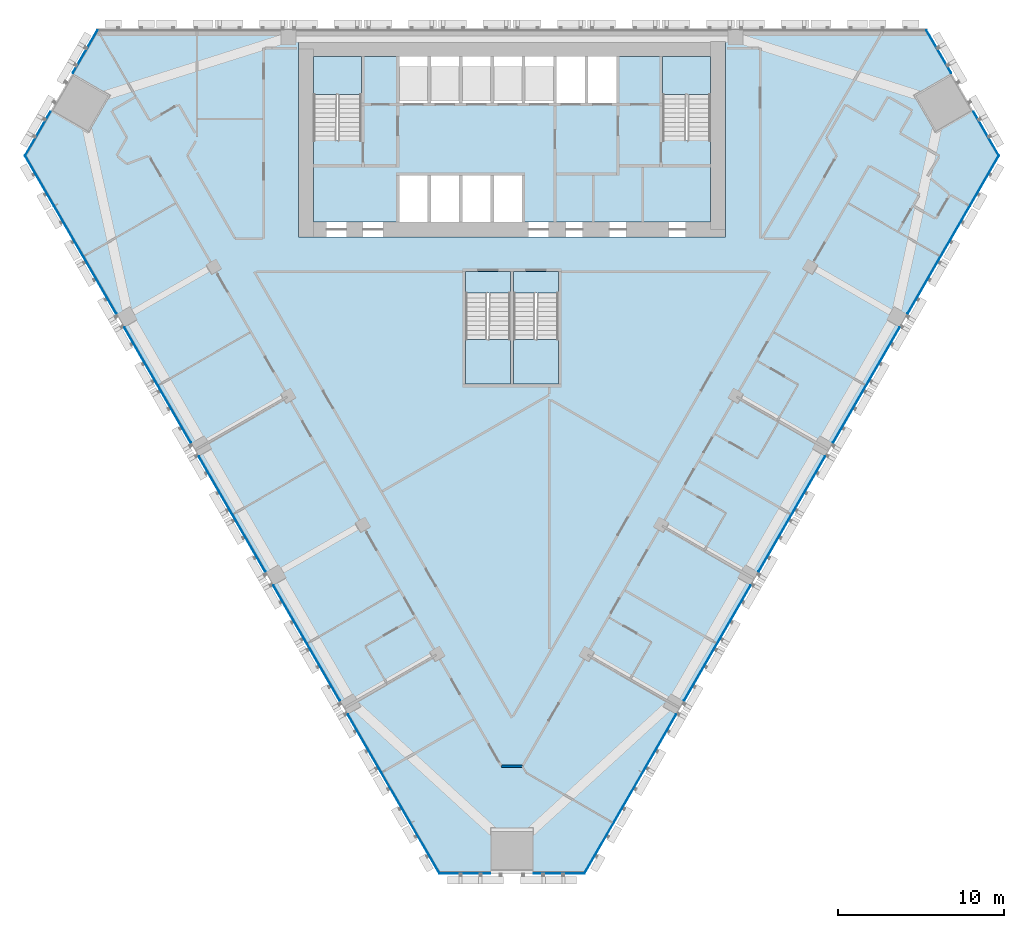
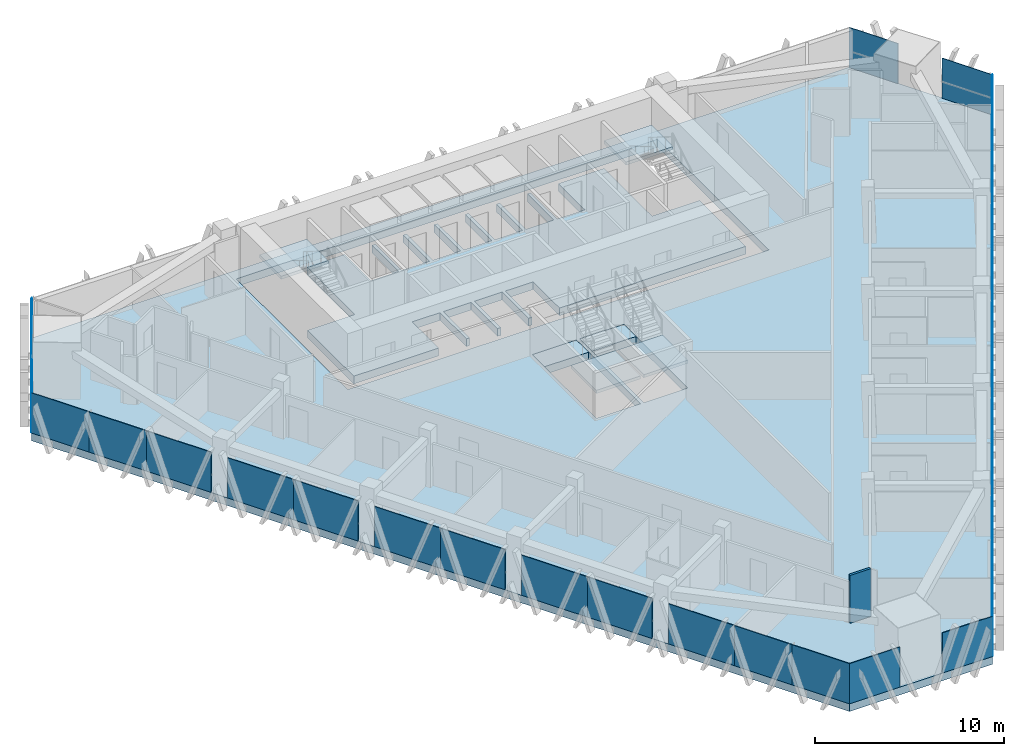
# One storey, part 8 of 16: 30 plates, 8 slabs, 1 wall, 9 elements without a shape of their own.
"""IFC4 building model written with IfcOpenShell, lengths in metres."""

from ifc_helpers import new_model, si_unit, direction, frame, frame_2d, origin, origin_2d, place, context, subcontext, project, spatial, polyline, rectangle, outline, extrude, material, layer, layer_set, type_object, element, aggregate, save


model = new_model("IFC4")

# Units and contexts
model_context = context("Model", 3, precision=1e-05, world=origin(), true_north=direction((0.0, 1.0)))
body_context = subcontext(model_context, "Body", "Model", "MODEL_VIEW")
ifc_project = project(units=[si_unit("LENGTHUNIT", "METRE"), si_unit("AREAUNIT", "SQUARE_METRE"), si_unit("VOLUMEUNIT", "CUBIC_METRE"), si_unit("PLANEANGLEUNIT", "RADIAN"), si_unit("MASSUNIT", "GRAM", prefix="KILO")], contexts=[model_context])

# Site, building, storey
site_placement = place(None, origin())
site = spatial("IfcSite", under=ifc_project, at=site_placement, CompositionType="ELEMENT")
building_placement = place(site_placement, origin())
building = spatial("IfcBuilding", under=site, at=building_placement, Name="Altiplano Prism Tower", CompositionType="ELEMENT")
storey_placement = place(building_placement, frame((0.0, 0.0, 84.60009765625)))
storey = spatial("IfcBuildingStorey", under=building, at=storey_placement, Name="L21", CompositionType="ELEMENT", Elevation=84.60009765625)

# Curtain wall, plates
ifc_material_1 = material(Name="Aluminium and glass", Category="aluminium")
ifc_layer_1 = layer(ifc_material_1, 0.280029296875)
ifc_layer_set_1 = layer_set([ifc_layer_1], Name="Aluminium and glass")
curtain_wall_type = type_object("IfcCurtainWallType", Name="CW1 typical co-living unitised curtain wall", PredefinedType="NOTDEFINED", material=ifc_layer_set_1)
curtain_wall_1_placement = place(storey_placement, origin())
curtain_wall_1 = element("IfcCurtainWall", 1, at=curtain_wall_1_placement, inside=storey, type_object=curtain_wall_type, Name="CW1 curtain wall north-west chamfer L21", PredefinedType="NOTDEFINED")
ifc_material_2 = material(Name="Clear glass", Category="glass")
ifc_layer_2 = layer(ifc_material_2, 0.0400390625)
ifc_layer_set_2 = layer_set([ifc_layer_2], Name="Clear glass")
plate_type = type_object("IfcPlateType", Name="CW1 insulated glass unit 40", PredefinedType="CURTAIN_PANEL", material=ifc_layer_set_2)
plate_1_placement = place(storey_placement, frame((59.221435546875, 103.689208984375, -0.000244140625), z_axis=(0.0, 0.0, 1.0), x_axis=(-0.499999935822, -0.866025440838, 0.0)))
plate_1 = element("IfcPlate", 2, at=plate_1_placement, type_object=plate_type, Name="CW1 panel", PredefinedType="CURTAIN_PANEL", context=body_context, shape_type="SweptSolid", body=[
    extrude(rectangle(XDim=2.994384765625, YDim=0.0400390625, at=origin_2d()), origin(), (0.0, 0.0, 1.0), 2.60009765625),
])
plate_2_placement = place(storey_placement, frame((56.359130859375, 98.731689453125, -0.000244140625), z_axis=(0.0, 0.0, 1.0), x_axis=(-0.499999935822, -0.866025440838, 0.0)))
plate_2 = element("IfcPlate", 3, at=plate_2_placement, type_object=plate_type, Name="CW1 panel", PredefinedType="CURTAIN_PANEL", context=body_context, shape_type="SweptSolid", body=[
    extrude(rectangle(XDim=3.07421875, YDim=0.0400390625, at=origin_2d()), origin(), (0.0, 0.0, 1.0), 2.60009765625),
])
aggregate(curtain_wall_1, [plate_1, plate_2])

curtain_wall_2_placement = place(storey_placement, origin())
curtain_wall_2 = element("IfcCurtainWall", 4, at=curtain_wall_2_placement, inside=storey, type_object=curtain_wall_type, Name="CW1 curtain wall south-west face L21", PredefinedType="NOTDEFINED")
plate_3_placement = place(storey_placement, frame((56.46875, 95.89111328125, -0.000244140625), z_axis=(0.0, 0.0, 1.0), x_axis=(0.500000007875, -0.866025399238, 0.0)))
plate_3 = element("IfcPlate", 5, at=plate_3_placement, type_object=plate_type, Name="CW1 panel", PredefinedType="CURTAIN_PANEL", context=body_context, shape_type="SweptSolid", body=[
    extrude(rectangle(XDim=3.512451171875, YDim=0.0400390625, at=origin_2d()), origin(), (0.0, 0.0, 1.0), 2.60009765625),
])
plate_4_placement = place(storey_placement, frame((58.22998046875, 92.840576171875, -0.000244140625), z_axis=(0.0, 0.0, 1.0), x_axis=(0.500000007875, -0.866025399238, 0.0)))
plate_4 = element("IfcPlate", 6, at=plate_4_placement, type_object=plate_type, Name="CW1 panel", PredefinedType="CURTAIN_PANEL", context=body_context, shape_type="SweptSolid", body=[
    extrude(rectangle(XDim=3.512451171875, YDim=0.0400390625, at=origin_2d()), origin(), (0.0, 0.0, 1.0), 2.60009765625),
])
plate_5_placement = place(storey_placement, frame((60.103271484375, 89.595947265625, -0.000244140625), z_axis=(0.0, 0.0, 1.0), x_axis=(0.500000007875, -0.866025399238, 0.0)))
plate_5 = element("IfcPlate", 7, at=plate_5_placement, type_object=plate_type, Name="CW1 panel", PredefinedType="CURTAIN_PANEL", context=body_context, shape_type="SweptSolid", body=[
    extrude(rectangle(XDim=3.96044921875, YDim=0.0400390625, at=origin_2d()), origin(), (0.0, 0.0, 1.0), 2.60009765625),
])
plate_6_placement = place(storey_placement, frame((62.598388671875, 85.2744140625, -0.000244140625), z_axis=(0.0, 0.0, 1.0), x_axis=(0.500000007875, -0.866025399238, 0.0)))
plate_6 = element("IfcPlate", 8, at=plate_6_placement, type_object=plate_type, Name="CW1 panel", PredefinedType="CURTAIN_PANEL", context=body_context, shape_type="SweptSolid", body=[
    extrude(rectangle(XDim=4.039306640625, YDim=0.0400390625, at=origin_2d()), origin(), (0.0, 0.0, 1.0), 2.60009765625),
])
plate_7_placement = place(storey_placement, frame((64.603271484375, 81.8017578125, -0.000244140625), z_axis=(0.0, 0.0, 1.0), x_axis=(0.500000007875, -0.866025399238, 0.0)))
plate_7 = element("IfcPlate", 9, at=plate_7_placement, type_object=plate_type, Name="CW1 panel", PredefinedType="CURTAIN_PANEL", context=body_context, shape_type="SweptSolid", body=[
    extrude(rectangle(XDim=3.96044921875, YDim=0.0400390625, at=origin_2d()), origin(), (0.0, 0.0, 1.0), 2.60009765625),
])
plate_8_placement = place(storey_placement, frame((67.098388671875, 77.480224609375, -0.000244140625), z_axis=(0.0, 0.0, 1.0), x_axis=(0.500000007875, -0.866025399238, 0.0)))
plate_8 = element("IfcPlate", 10, at=plate_8_placement, type_object=plate_type, Name="CW1 panel", PredefinedType="CURTAIN_PANEL", context=body_context, shape_type="SweptSolid", body=[
    extrude(rectangle(XDim=4.039306640625, YDim=0.0400390625, at=origin_2d()), origin(), (0.0, 0.0, 1.0), 2.60009765625),
])
plate_9_placement = place(storey_placement, frame((69.103271484375, 74.00732421875, -0.000244140625), z_axis=(0.0, 0.0, 1.0), x_axis=(0.500000007875, -0.866025399238, 0.0)))
plate_9 = element("IfcPlate", 11, at=plate_9_placement, type_object=plate_type, Name="CW1 panel", PredefinedType="CURTAIN_PANEL", context=body_context, shape_type="SweptSolid", body=[
    extrude(rectangle(XDim=3.96044921875, YDim=0.0400390625, at=origin_2d()), origin(), (0.0, 0.0, 1.0), 2.60009765625),
])
plate_10_placement = place(storey_placement, frame((71.598388671875, 69.685791015625, -0.000244140625), z_axis=(0.0, 0.0, 1.0), x_axis=(0.500000007875, -0.866025399238, 0.0)))
plate_10 = element("IfcPlate", 12, at=plate_10_placement, type_object=plate_type, Name="CW1 panel", PredefinedType="CURTAIN_PANEL", context=body_context, shape_type="SweptSolid", body=[
    extrude(rectangle(XDim=4.039306640625, YDim=0.0400390625, at=origin_2d()), origin(), (0.0, 0.0, 1.0), 2.60009765625),
])
plate_11_placement = place(storey_placement, frame((73.603271484375, 66.213134765625, -0.000244140625), z_axis=(0.0, 0.0, 1.0), x_axis=(0.500000007875, -0.866025399238, 0.0)))
plate_11 = element("IfcPlate", 13, at=plate_11_placement, type_object=plate_type, Name="CW1 panel", PredefinedType="CURTAIN_PANEL", context=body_context, shape_type="SweptSolid", body=[
    extrude(rectangle(XDim=3.96044921875, YDim=0.0400390625, at=origin_2d()), origin(), (0.0, 0.0, 1.0), 2.60009765625),
])
plate_12_placement = place(storey_placement, frame((76.098388671875, 61.8916015625, -0.000244140625), z_axis=(0.0, 0.0, 1.0), x_axis=(0.500000007875, -0.866025399238, 0.0)))
plate_12 = element("IfcPlate", 14, at=plate_12_placement, type_object=plate_type, Name="CW1 panel", PredefinedType="CURTAIN_PANEL", context=body_context, shape_type="SweptSolid", body=[
    extrude(rectangle(XDim=4.039306640625, YDim=0.0400390625, at=origin_2d()), origin(), (0.0, 0.0, 1.0), 2.60009765625),
])
plate_13_placement = place(storey_placement, frame((77.9912109375, 58.613037109375, -0.000244140625), z_axis=(0.0, 0.0, 1.0), x_axis=(0.500000007875, -0.866025399238, 0.0)))
plate_13 = element("IfcPlate", 15, at=plate_13_placement, type_object=plate_type, Name="CW1 panel", PredefinedType="CURTAIN_PANEL", context=body_context, shape_type="SweptSolid", body=[
    extrude(rectangle(XDim=3.512451171875, YDim=0.0400390625, at=origin_2d()), origin(), (0.0, 0.0, 1.0), 2.60009765625),
])
plate_14_placement = place(storey_placement, frame((79.75244140625, 55.5625, -0.000244140625), z_axis=(0.0, 0.0, 1.0), x_axis=(0.500000007875, -0.866025399238, 0.0)))
plate_14 = element("IfcPlate", 16, at=plate_14_placement, type_object=plate_type, Name="CW1 panel", PredefinedType="CURTAIN_PANEL", context=body_context, shape_type="SweptSolid", body=[
    extrude(rectangle(XDim=3.512451171875, YDim=0.0400390625, at=origin_2d()), origin(), (0.0, 0.0, 1.0), 2.60009765625),
])
aggregate(curtain_wall_2, [plate_3, plate_4, plate_5, plate_6, plate_7, plate_8, plate_9, plate_10, plate_11, plate_12, plate_13, plate_14])

curtain_wall_3_placement = place(storey_placement, origin())
curtain_wall_3 = element("IfcCurtainWall", 17, at=curtain_wall_3_placement, inside=storey, type_object=curtain_wall_type, Name="CW1 curtain wall south chamfer L21", PredefinedType="NOTDEFINED")
plate_15_placement = place(storey_placement, frame((82.157958984375, 54.047119140625, -0.000244140625), z_axis=(0.0, 0.0, 1.0), x_axis=(1.0, 0.0, 0.0)))
plate_15 = element("IfcPlate", 18, at=plate_15_placement, type_object=plate_type, Name="CW1 panel", PredefinedType="CURTAIN_PANEL", context=body_context, shape_type="SweptSolid", body=[
    extrude(rectangle(XDim=3.07421875, YDim=0.0400390625, at=origin_2d()), origin(), (0.0, 0.0, 1.0), 2.60009765625),
])
plate_16_placement = place(storey_placement, frame((87.842041015625, 54.047119140625, -0.000244140625), z_axis=(0.0, 0.0, 1.0), x_axis=(1.0, 0.0, 0.0)))
plate_16 = element("IfcPlate", 19, at=plate_16_placement, type_object=plate_type, Name="CW1 panel", PredefinedType="CURTAIN_PANEL", context=body_context, shape_type="SweptSolid", body=[
    extrude(rectangle(XDim=3.07421875, YDim=0.0400390625, at=origin_2d()), origin(), (0.0, 0.0, 1.0), 2.60009765625),
])
aggregate(curtain_wall_3, [plate_15, plate_16])

curtain_wall_4_placement = place(storey_placement, origin())
curtain_wall_4 = element("IfcCurtainWall", 20, at=curtain_wall_4_placement, inside=storey, type_object=curtain_wall_type, Name="CW1 curtain wall south-east face L21", PredefinedType="NOTDEFINED")
plate_17_placement = place(storey_placement, frame((90.24755859375, 55.5625, -0.000244140625), z_axis=(0.0, 0.0, 1.0), x_axis=(0.500000007875, 0.866025399238, 0.0)))
plate_17 = element("IfcPlate", 21, at=plate_17_placement, type_object=plate_type, Name="CW1 panel", PredefinedType="CURTAIN_PANEL", context=body_context, shape_type="SweptSolid", body=[
    extrude(rectangle(XDim=3.512451171875, YDim=0.0400390625, at=origin_2d()), origin(), (0.0, 0.0, 1.0), 2.60009765625),
])
plate_18_placement = place(storey_placement, frame((92.0087890625, 58.613037109375, -0.000244140625), z_axis=(0.0, 0.0, 1.0), x_axis=(0.500000007875, 0.866025399238, 0.0)))
plate_18 = element("IfcPlate", 22, at=plate_18_placement, type_object=plate_type, Name="CW1 panel", PredefinedType="CURTAIN_PANEL", context=body_context, shape_type="SweptSolid", body=[
    extrude(rectangle(XDim=3.512451171875, YDim=0.0400390625, at=origin_2d()), origin(), (0.0, 0.0, 1.0), 2.60009765625),
])
plate_19_placement = place(storey_placement, frame((93.901611328125, 61.8916015625, -0.000244140625), z_axis=(0.0, 0.0, 1.0), x_axis=(0.500000007875, 0.866025399238, 0.0)))
plate_19 = element("IfcPlate", 23, at=plate_19_placement, type_object=plate_type, Name="CW1 panel", PredefinedType="CURTAIN_PANEL", context=body_context, shape_type="SweptSolid", body=[
    extrude(rectangle(XDim=4.039306640625, YDim=0.0400390625, at=origin_2d()), origin(), (0.0, 0.0, 1.0), 2.60009765625),
])
plate_20_placement = place(storey_placement, frame((96.396728515625, 66.213134765625, -0.000244140625), z_axis=(0.0, 0.0, 1.0), x_axis=(0.500000007875, 0.866025399238, 0.0)))
plate_20 = element("IfcPlate", 24, at=plate_20_placement, type_object=plate_type, Name="CW1 panel", PredefinedType="CURTAIN_PANEL", context=body_context, shape_type="SweptSolid", body=[
    extrude(rectangle(XDim=3.96044921875, YDim=0.0400390625, at=origin_2d()), origin(), (0.0, 0.0, 1.0), 2.60009765625),
])
plate_21_placement = place(storey_placement, frame((98.401611328125, 69.685791015625, -0.000244140625), z_axis=(0.0, 0.0, 1.0), x_axis=(0.500000007875, 0.866025399238, 0.0)))
plate_21 = element("IfcPlate", 25, at=plate_21_placement, type_object=plate_type, Name="CW1 panel", PredefinedType="CURTAIN_PANEL", context=body_context, shape_type="SweptSolid", body=[
    extrude(rectangle(XDim=4.039306640625, YDim=0.0400390625, at=origin_2d()), origin(), (0.0, 0.0, 1.0), 2.60009765625),
])
plate_22_placement = place(storey_placement, frame((100.896728515625, 74.00732421875, -0.000244140625), z_axis=(0.0, 0.0, 1.0), x_axis=(0.500000007875, 0.866025399238, 0.0)))
plate_22 = element("IfcPlate", 26, at=plate_22_placement, type_object=plate_type, Name="CW1 panel", PredefinedType="CURTAIN_PANEL", context=body_context, shape_type="SweptSolid", body=[
    extrude(rectangle(XDim=3.96044921875, YDim=0.0400390625, at=origin_2d()), origin(), (0.0, 0.0, 1.0), 2.60009765625),
])
plate_23_placement = place(storey_placement, frame((102.901611328125, 77.480224609375, -0.000244140625), z_axis=(0.0, 0.0, 1.0), x_axis=(0.500000007875, 0.866025399238, 0.0)))
plate_23 = element("IfcPlate", 27, at=plate_23_placement, type_object=plate_type, Name="CW1 panel", PredefinedType="CURTAIN_PANEL", context=body_context, shape_type="SweptSolid", body=[
    extrude(rectangle(XDim=4.039306640625, YDim=0.0400390625, at=origin_2d()), origin(), (0.0, 0.0, 1.0), 2.60009765625),
])
plate_24_placement = place(storey_placement, frame((105.396728515625, 81.8017578125, -0.000244140625), z_axis=(0.0, 0.0, 1.0), x_axis=(0.500000007875, 0.866025399238, 0.0)))
plate_24 = element("IfcPlate", 28, at=plate_24_placement, type_object=plate_type, Name="CW1 panel", PredefinedType="CURTAIN_PANEL", context=body_context, shape_type="SweptSolid", body=[
    extrude(rectangle(XDim=3.96044921875, YDim=0.0400390625, at=origin_2d()), origin(), (0.0, 0.0, 1.0), 2.60009765625),
])
plate_25_placement = place(storey_placement, frame((107.401611328125, 85.2744140625, -0.000244140625), z_axis=(0.0, 0.0, 1.0), x_axis=(0.500000007875, 0.866025399238, 0.0)))
plate_25 = element("IfcPlate", 29, at=plate_25_placement, type_object=plate_type, Name="CW1 panel", PredefinedType="CURTAIN_PANEL", context=body_context, shape_type="SweptSolid", body=[
    extrude(rectangle(XDim=4.039306640625, YDim=0.0400390625, at=origin_2d()), origin(), (0.0, 0.0, 1.0), 2.60009765625),
])
plate_26_placement = place(storey_placement, frame((109.896728515625, 89.595947265625, -0.000244140625), z_axis=(0.0, 0.0, 1.0), x_axis=(0.500000007875, 0.866025399238, 0.0)))
plate_26 = element("IfcPlate", 30, at=plate_26_placement, type_object=plate_type, Name="CW1 panel", PredefinedType="CURTAIN_PANEL", context=body_context, shape_type="SweptSolid", body=[
    extrude(rectangle(XDim=3.96044921875, YDim=0.0400390625, at=origin_2d()), origin(), (0.0, 0.0, 1.0), 2.60009765625),
])
plate_27_placement = place(storey_placement, frame((111.77001953125, 92.840576171875, -0.000244140625), z_axis=(0.0, 0.0, 1.0), x_axis=(0.500000007875, 0.866025399238, 0.0)))
plate_27 = element("IfcPlate", 31, at=plate_27_placement, type_object=plate_type, Name="CW1 panel", PredefinedType="CURTAIN_PANEL", context=body_context, shape_type="SweptSolid", body=[
    extrude(rectangle(XDim=3.512451171875, YDim=0.0400390625, at=origin_2d()), origin(), (0.0, 0.0, 1.0), 2.60009765625),
])
plate_28_placement = place(storey_placement, frame((113.53125, 95.89111328125, -0.000244140625), z_axis=(0.0, 0.0, 1.0), x_axis=(0.500000007875, 0.866025399238, 0.0)))
plate_28 = element("IfcPlate", 32, at=plate_28_placement, type_object=plate_type, Name="CW1 panel", PredefinedType="CURTAIN_PANEL", context=body_context, shape_type="SweptSolid", body=[
    extrude(rectangle(XDim=3.512451171875, YDim=0.0400390625, at=origin_2d()), origin(), (0.0, 0.0, 1.0), 2.60009765625),
])
aggregate(curtain_wall_4, [plate_17, plate_18, plate_19, plate_20, plate_21, plate_22, plate_23, plate_24, plate_25, plate_26, plate_27, plate_28])

curtain_wall_5_placement = place(storey_placement, origin())
curtain_wall_5 = element("IfcCurtainWall", 33, at=curtain_wall_5_placement, inside=storey, type_object=curtain_wall_type, Name="CW1 curtain wall north-east chamfer L21", PredefinedType="NOTDEFINED")
plate_29_placement = place(storey_placement, frame((113.640869140625, 98.731689453125, -0.000244140625), z_axis=(0.0, 0.0, 1.0), x_axis=(-0.499999935822, 0.866025440838, 0.0)))
plate_29 = element("IfcPlate", 34, at=plate_29_placement, type_object=plate_type, Name="CW1 panel", PredefinedType="CURTAIN_PANEL", context=body_context, shape_type="SweptSolid", body=[
    extrude(rectangle(XDim=3.07421875, YDim=0.0400390625, at=origin_2d()), origin(), (0.0, 0.0, 1.0), 2.60009765625),
])
plate_30_placement = place(storey_placement, frame((110.778564453125, 103.689208984375, -0.000244140625), z_axis=(0.0, 0.0, 1.0), x_axis=(-0.499999935822, 0.866025440838, 0.0)))
plate_30 = element("IfcPlate", 35, at=plate_30_placement, type_object=plate_type, Name="CW1 panel", PredefinedType="CURTAIN_PANEL", context=body_context, shape_type="SweptSolid", body=[
    extrude(rectangle(XDim=2.994384765625, YDim=0.0400390625, at=origin_2d()), origin(), (0.0, 0.0, 1.0), 2.60009765625),
])
aggregate(curtain_wall_5, [plate_29, plate_30])

# Slabs
ifc_material_3 = material(Name="Concrete C40/50", Category="concrete")
ifc_layer_3 = layer(ifc_material_3, 0.5)
ifc_layer_set_3 = layer_set([ifc_layer_3], Name="Concrete C40/50")
slab_type_1 = type_object("IfcSlabType", Name="Core floor slab 500", PredefinedType="FLOOR", material=ifc_layer_set_3)
slab_1_placement = place(storey_placement, frame((0.0, 0.0, -0.5)))
element("IfcSlab", 36, at=slab_1_placement, inside=storey, type_object=slab_type_1, Name="Core floor slab L21", PredefinedType="FLOOR", context=body_context, shape_type="SweptSolid", body=[
    extrude(outline(polyline([(97.0, 98.31005859375), (94.10009765625, 98.31005859375), (94.10009765625, 103.39990234375), (91.300048828125, 103.39990234375), (91.300048828125, 100.60009765625), (89.60009765625, 100.60009765625), (89.60009765625, 103.39990234375), (89.39990234375, 103.39990234375), (89.39990234375, 100.60009765625), (87.699951171875, 100.60009765625), (87.699951171875, 103.39990234375), (87.5, 103.39990234375), (87.5, 100.60009765625), (85.800048828125, 100.60009765625), (85.800048828125, 103.39990234375), (85.60009765625, 103.39990234375), (85.60009765625, 100.60009765625), (83.89990234375, 100.60009765625), (83.89990234375, 103.39990234375), (83.699951171875, 103.39990234375), (83.699951171875, 100.60009765625), (82.0, 100.60009765625), (82.0, 103.39990234375), (81.800048828125, 103.39990234375), (81.800048828125, 100.60009765625), (80.10009765625, 100.60009765625), (80.10009765625, 103.39990234375), (79.89990234375, 103.39990234375), (79.89990234375, 100.60009765625), (78.199951171875, 100.60009765625), (78.199951171875, 103.39990234375), (75.89990234375, 103.39990234375), (75.89990234375, 98.31005859375), (73.0, 98.31005859375), (73.0, 93.39990234375), (78.199951171875, 93.39990234375), (78.199951171875, 96.199951171875), (79.89990234375, 96.199951171875), (79.89990234375, 93.39990234375), (80.10009765625, 93.39990234375), (80.10009765625, 96.199951171875), (81.800048828125, 96.199951171875), (81.800048828125, 93.39990234375), (82.0, 93.39990234375), (82.0, 96.199951171875), (83.699951171875, 96.199951171875), (83.699951171875, 93.39990234375), (83.89990234375, 93.39990234375), (83.89990234375, 96.199951171875), (85.60009765625, 96.199951171875), (85.60009765625, 93.39990234375), (97.0, 93.39990234375), (97.0, 98.31005859375)])), origin(), (0.0, 0.0, 1.0), 0.5),
])
slab_2_placement = place(storey_placement, frame((0.0, 0.0, -0.5)))
element("IfcSlab", 37, at=slab_2_placement, inside=storey, type_object=slab_type_1, Name="Stair 3A landing slab L21", PredefinedType="FLOOR", context=body_context, shape_type="SweptSolid", body=[
    extrude(outline(polyline([(82.199951171875, 89.096923828125), (84.89990234375, 89.096923828125), (84.89990234375, 90.39990234375), (82.199951171875, 90.39990234375), (82.199951171875, 89.096923828125)])), origin(), (0.0, 0.0, 1.0), 0.5),
])
slab_3_placement = place(storey_placement, frame((0.0, 0.0, -0.5)))
element("IfcSlab", 38, at=slab_3_placement, inside=storey, type_object=slab_type_1, Name="Stair 3B landing slab L21", PredefinedType="FLOOR", context=body_context, shape_type="SweptSolid", body=[
    extrude(outline(polyline([(85.10009765625, 89.096923828125), (87.800048828125, 89.096923828125), (87.800048828125, 90.39990234375), (85.10009765625, 90.39990234375), (85.10009765625, 89.096923828125)])), origin(), (0.0, 0.0, 1.0), 0.5),
])
ifc_layer_4 = layer(ifc_material_3, 0.5)
ifc_layer_set_4 = layer_set([ifc_layer_4], Name="Concrete C40/50")
slab_type_2 = type_object("IfcSlabType", Name="Post-tensioned flat slab 500", PredefinedType="FLOOR", material=ifc_layer_set_4)
slab_4_placement = place(storey_placement, frame((0.0, 0.0, -0.5)))
element("IfcSlab", 39, at=slab_4_placement, inside=storey, type_object=slab_type_2, Name="Floor slab L21", PredefinedType="FLOOR", context=body_context, shape_type="SweptSolid", body=[
    extrude(outline(polyline([(80.61572265625, 54.027099609375), (55.57080078125, 97.40625), (59.955078125, 105.0), (110.044921875, 105.0), (114.42919921875, 97.40625), (89.38427734375, 54.027099609375), (80.61572265625, 54.027099609375)]), holes=[polyline([(72.10009765625, 104.300048828125), (72.10009765625, 92.5), (97.89990234375, 92.5), (97.89990234375, 104.300048828125), (72.10009765625, 104.300048828125)]), polyline([(84.89990234375, 90.39990234375), (82.199951171875, 90.39990234375), (82.199951171875, 83.60009765625), (84.89990234375, 83.60009765625), (84.89990234375, 90.39990234375)]), polyline([(87.800048828125, 83.60009765625), (87.800048828125, 90.39990234375), (85.10009765625, 90.39990234375), (85.10009765625, 83.60009765625), (87.800048828125, 83.60009765625)])]), origin(), (0.0, 0.0, 1.0), 0.5),
])

# Stair, slab
stair_type_1 = type_object("IfcStairType", Name="Exit stair 1400", PredefinedType="HALF_TURN_STAIR", material=ifc_material_3)
stair_1_placement = place(storey_placement, origin())
stair_1 = element("IfcStair", 40, at=stair_1_placement, inside=storey, type_object=stair_type_1, Name="L21 Exit Stair 1", PredefinedType="HALF_TURN_STAIR")
ifc_layer_5 = layer(ifc_material_3, 0.199951171875)
ifc_layer_set_5 = layer_set([ifc_layer_5], Name="Concrete C40/50")
slab_type_3 = type_object("IfcSlabType", Name="Stair landing 200", PredefinedType="LANDING", material=ifc_layer_set_5)
slab_5_placement = place(storey_placement, frame((0.0, 0.0, 1.599853515625)))
slab_5 = element("IfcSlab", 41, at=slab_5_placement, type_object=slab_type_3, Name="ST1 landing 1", PredefinedType="LANDING", context=body_context, shape_type="SweptSolid", body=[
    extrude(outline(polyline([(75.89990234375, 101.096923828125), (75.89990234375, 103.39990234375), (73.0, 103.39990234375), (73.0, 101.096923828125), (75.89990234375, 101.096923828125)])), origin(), (0.0, 0.0, 1.0), 0.199951171875),
])
aggregate(stair_1, [slab_5])

stair_2_placement = place(storey_placement, origin())
stair_2 = element("IfcStair", 42, at=stair_2_placement, inside=storey, type_object=stair_type_1, Name="L21 Exit Stair 2", PredefinedType="HALF_TURN_STAIR")
slab_6_placement = place(storey_placement, frame((0.0, 0.0, 1.599853515625)))
slab_6 = element("IfcSlab", 43, at=slab_6_placement, type_object=slab_type_3, Name="ST2 landing 1", PredefinedType="LANDING", context=body_context, shape_type="SweptSolid", body=[
    extrude(outline(polyline([(97.0, 101.096923828125), (97.0, 103.39990234375), (94.10009765625, 103.39990234375), (94.10009765625, 101.096923828125), (97.0, 101.096923828125)])), origin(), (0.0, 0.0, 1.0), 0.199951171875),
])
aggregate(stair_2, [slab_6])

stair_type_2 = type_object("IfcStairType", Name="Exit stair 1300", PredefinedType="HALF_TURN_STAIR", material=ifc_material_3)
stair_3_placement = place(storey_placement, origin())
stair_3 = element("IfcStair", 44, at=stair_3_placement, inside=storey, type_object=stair_type_2, Name="L21 Exit Stair 3A", PredefinedType="HALF_TURN_STAIR")
slab_7_placement = place(storey_placement, frame((0.0, 0.0, 1.599853515625)))
slab_7 = element("IfcSlab", 45, at=slab_7_placement, type_object=slab_type_3, Name="ST3A landing 1", PredefinedType="LANDING", context=body_context, shape_type="SweptSolid", body=[
    extrude(outline(polyline([(82.199951171875, 86.302978515625), (82.199951171875, 83.60009765625), (84.89990234375, 83.60009765625), (84.89990234375, 86.302978515625), (82.199951171875, 86.302978515625)])), origin(), (0.0, 0.0, 1.0), 0.199951171875),
])
aggregate(stair_3, [slab_7])

stair_4_placement = place(storey_placement, origin())
stair_4 = element("IfcStair", 46, at=stair_4_placement, inside=storey, type_object=stair_type_2, Name="L21 Exit Stair 3B", PredefinedType="HALF_TURN_STAIR")
slab_8_placement = place(storey_placement, frame((0.0, 0.0, 1.599853515625)))
slab_8 = element("IfcSlab", 47, at=slab_8_placement, type_object=slab_type_3, Name="ST3B landing 1", PredefinedType="LANDING", context=body_context, shape_type="SweptSolid", body=[
    extrude(outline(polyline([(85.10009765625, 86.302978515625), (85.10009765625, 83.60009765625), (87.800048828125, 83.60009765625), (87.800048828125, 86.302978515625), (85.10009765625, 86.302978515625)])), origin(), (0.0, 0.0, 1.0), 0.199951171875),
])
aggregate(stair_4, [slab_8])

# Wall
ifc_material_4 = material(Name="Plasterboard on steel stud", Category="steel")
ifc_layer_6 = layer(ifc_material_4, 0.14990234375)
ifc_layer_set_6 = layer_set([ifc_layer_6], Name="Plasterboard on steel stud")
wall_type = type_object("IfcWallType", Name="Partition 150 corridor", PredefinedType="PARTITIONING", material=ifc_layer_set_6)
wall_placement = place(storey_placement, frame((84.36865234375, 60.527099609375, 0.0), z_axis=(0.0, 0.0, 1.0), x_axis=(1.0, 0.0, 0.0)))
element("IfcWall", 48, at=wall_placement, inside=storey, type_object=wall_type, Name="Partition P06 L21 017", PredefinedType="PARTITIONING", context=body_context, shape_type="SweptSolid", body=[
    extrude(rectangle(XDim=1.2626953125, YDim=0.14990234375, at=frame_2d((0.63134765625, 0.0))), origin(), (0.0, 0.0, 1.0), 3.099853515625),
])

save(model, "model.ifc")
